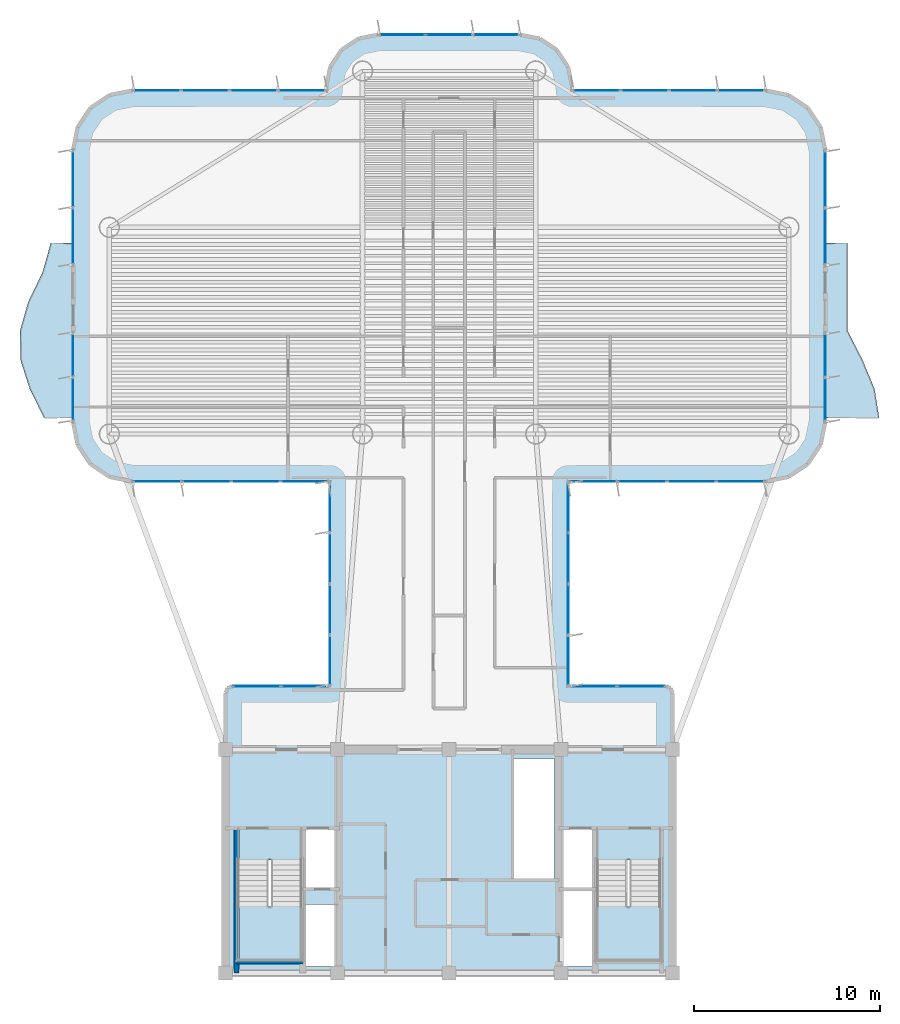
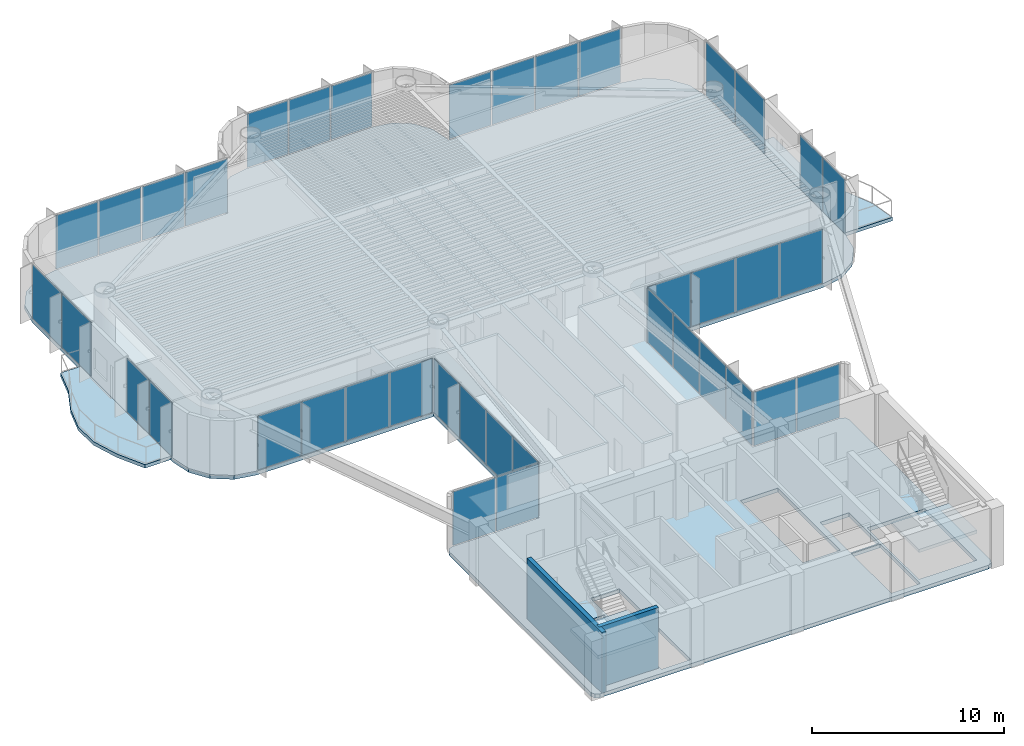
# One storey, part 8 of 14: 39 plates, 5 slabs, 2 walls, 15 elements without a shape of their own.
"""IFC4 building model written with IfcOpenShell, lengths in metres."""

from ifc_helpers import new_model, si_unit, direction, frame, frame_2d, origin, origin_2d, place, context, subcontext, project, spatial, polyline, rectangle, outline, extrude, source, transform, mapped, material, layer, layer_set, type_object, element, aggregate, save


model = new_model("IFC4")

# Units and contexts
model_context = context("Model", 3, precision=1e-05, world=origin(), true_north=direction((0.0, 1.0)))
body_context = subcontext(model_context, "Body", "Model", "MODEL_VIEW")
ifc_project = project(units=[si_unit("LENGTHUNIT", "METRE"), si_unit("AREAUNIT", "SQUARE_METRE"), si_unit("VOLUMEUNIT", "CUBIC_METRE"), si_unit("PLANEANGLEUNIT", "RADIAN"), si_unit("MASSUNIT", "GRAM", prefix="KILO")], contexts=[model_context])

# Site, building, storey
site_placement = place(None, origin())
site = spatial("IfcSite", under=ifc_project, at=site_placement, CompositionType="ELEMENT")
building_placement = place(site_placement, origin())
building = spatial("IfcBuilding", under=site, at=building_placement, Name="Brelvock Crest Care Tower", CompositionType="ELEMENT")
storey_placement = place(building_placement, frame((0.0, 0.0, 182.8798828125)))
storey = spatial("IfcBuildingStorey", under=building, at=storey_placement, Name="L46", CompositionType="ELEMENT", Elevation=182.8798828125)

# Slabs
ifc_material_1 = material(Name="Concrete N50 (50 MPa)", Category="concrete")
ifc_layer_1 = layer(ifc_material_1, 0.25, Name="SLB-FL3")
ifc_layer_set_1 = layer_set([ifc_layer_1], Name="Concrete N50 (50 MPa)")
slab_type_1 = type_object("IfcSlabType", Name="SLB-FL3", PredefinedType="FLOOR", material=ifc_layer_set_1)
slab_1_placement = place(storey_placement, frame((0.0, 0.0, -0.25)))
element("IfcSlab", 1, at=slab_1_placement, inside=storey, type_object=slab_type_1, Name="L46 Main Structural Slab", PredefinedType="FLOOR", context=body_context, shape_type="SweptSolid", body=[
    extrude(outline(polyline([(47.64990234375, 21.39990234375), (42.39990234375, 21.39990234375), (42.39990234375, 32.39990234375), (53.0, 32.39990234375), (54.224609375, 32.6435546875), (55.2626953125, 33.33740234375), (55.956298828125, 34.37548828125), (56.199951171875, 35.60009765625), (56.199951171875, 50.199951171875), (55.956298828125, 51.424560546875), (55.2626953125, 52.462646484375), (54.224609375, 53.156494140625), (53.0, 53.39990234375), (42.60009765625, 53.39990234375), (42.60009765625, 53.60009765625), (42.386962890625, 54.67138671875), (41.77978515625, 55.579833984375), (40.87158203125, 56.18701171875), (39.800048828125, 56.39990234375), (32.199951171875, 56.39990234375), (31.12841796875, 56.18701171875), (30.22021484375, 55.579833984375), (29.613037109375, 54.67138671875), (29.39990234375, 53.60009765625), (29.39990234375, 53.39990234375), (19.0, 53.39990234375), (17.775390625, 53.156494140625), (16.7373046875, 52.462646484375), (16.043701171875, 51.424560546875), (15.800048828125, 50.199951171875), (15.800048828125, 35.60009765625), (16.043701171875, 34.37548828125), (16.7373046875, 33.33740234375), (17.775390625, 32.6435546875), (19.0, 32.39990234375), (29.60009765625, 32.39990234375), (29.60009765625, 21.39990234375), (24.35009765625, 21.39990234375), (24.1025390625, 21.297607421875), (24.0, 21.050048828125), (24.0, 6.35009765625), (24.1025390625, 6.1025390625), (24.35009765625, 6.0), (47.64990234375, 6.0), (47.8974609375, 6.1025390625), (48.0, 6.35009765625), (48.0, 21.050048828125), (47.8974609375, 21.297607421875), (47.64990234375, 21.39990234375)]), holes=[polyline([(28.239990234375, 10.580078125), (29.97998046875, 10.580078125), (29.97998046875, 13.739990234375), (28.239990234375, 13.739990234375), (28.239990234375, 10.580078125)]), polyline([(42.02001953125, 10.580078125), (43.760009765625, 10.580078125), (43.760009765625, 13.739990234375), (42.02001953125, 13.739990234375), (42.02001953125, 10.580078125)]), polyline([(28.239990234375, 6.340087890625), (29.97998046875, 6.340087890625), (29.97998046875, 9.64990234375), (28.239990234375, 9.64990234375), (28.239990234375, 6.340087890625)]), polyline([(24.6298828125, 12.080078125), (24.6298828125, 6.699951171875), (28.110107421875, 6.699951171875), (28.110107421875, 12.080078125), (24.6298828125, 12.080078125)]), polyline([(43.889892578125, 12.080078125), (43.889892578125, 6.699951171875), (47.3701171875, 6.699951171875), (47.3701171875, 12.080078125), (43.889892578125, 12.080078125)]), polyline([(42.02001953125, 6.340087890625), (43.760009765625, 6.340087890625), (43.760009765625, 10.5), (42.02001953125, 10.5), (42.02001953125, 6.340087890625)]), polyline([(39.429931640625, 11.030029296875), (41.669921875, 11.030029296875), (41.669921875, 17.52001953125), (39.429931640625, 17.52001953125), (39.429931640625, 11.030029296875)])]), origin(), (0.0, 0.0, 1.0), 0.25),
])
ifc_layer_2 = layer(ifc_material_1, 0.219970703125, Name="SLB-WB1")
ifc_layer_set_2 = layer_set([ifc_layer_2], Name="Concrete N50 (50 MPa)")
slab_type_2 = type_object("IfcSlabType", Name="SLB-WB1", PredefinedType="FLOOR", material=ifc_layer_set_2)
slab_2_placement = place(storey_placement, frame((0.0, 0.0, -0.219970703125)))
element("IfcSlab", 2, at=slab_2_placement, inside=storey, type_object=slab_type_2, Name="L46 W Sinusoidal Wave Balcony Slab", PredefinedType="FLOOR", context=body_context, shape_type="SweptSolid", body=[
    extrude(outline(polyline([(15.800048828125, 45.199951171875), (14.60009765625, 45.199951171875), (14.16162109375, 43.63330078125), (13.400390625, 42.066650390625), (12.95068359375, 40.5), (12.977294921875, 38.933349609375), (13.470947265625, 37.36669921875), (14.25, 35.800048828125), (15.800048828125, 35.800048828125), (15.800048828125, 45.199951171875)])), origin(), (0.0, 0.0, 1.0), 0.219970703125),
])
slab_3_placement = place(storey_placement, frame((0.0, 0.0, -0.219970703125)))
element("IfcSlab", 3, at=slab_3_placement, inside=storey, type_object=slab_type_2, Name="L46 E Sinusoidal Wave Balcony Slab", PredefinedType="FLOOR", context=body_context, shape_type="SweptSolid", body=[
    extrude(outline(polyline([(56.199951171875, 35.800048828125), (59.10009765625, 35.800048828125), (58.8525390625, 37.36669921875), (58.20068359375, 38.933349609375), (57.39990234375, 40.5), (57.39990234375, 42.066650390625), (57.39990234375, 43.63330078125), (57.39990234375, 45.199951171875), (56.199951171875, 45.199951171875), (56.199951171875, 35.800048828125)])), origin(), (0.0, 0.0, 1.0), 0.219970703125),
])

# Stair, slab
ifc_material_2 = material(Name="Concrete N40 (40 MPa)", Category="concrete")
stair_type = type_object("IfcStairType", Name="ST-CORE1", PredefinedType="HALF_TURN_STAIR", material=ifc_material_2)
stair_1_placement = place(storey_placement, origin())
stair_1 = element("IfcStair", 4, at=stair_1_placement, inside=storey, type_object=stair_type, Name="L46 Fire-Isolated Core Stair ST-1", PredefinedType="HALF_TURN_STAIR")
ifc_layer_3 = layer(ifc_material_2, 0.199951171875, Name="STL-1")
ifc_layer_set_3 = layer_set([ifc_layer_3], Name="Concrete N40 (40 MPa)")
slab_type_3 = type_object("IfcSlabType", Name="STL-1", PredefinedType="LANDING", material=ifc_layer_set_3)
slab_4_placement = place(storey_placement, frame((0.0, 0.0, 1.690185546875)))
slab_4 = element("IfcSlab", 5, at=slab_4_placement, type_object=slab_type_3, Name="ST-1 landing 1", PredefinedType="LANDING", context=body_context, shape_type="SweptSolid", body=[
    extrude(outline(polyline([(24.6298828125, 9.56005859375), (24.6298828125, 6.699951171875), (28.110107421875, 6.699951171875), (28.110107421875, 9.56005859375), (24.6298828125, 9.56005859375)])), origin(), (0.0, 0.0, 1.0), 0.199951171875),
])
aggregate(stair_1, [slab_4])

stair_2_placement = place(storey_placement, origin())
stair_2 = element("IfcStair", 6, at=stair_2_placement, inside=storey, type_object=stair_type, Name="L46 Fire-Isolated Core Stair ST-2", PredefinedType="HALF_TURN_STAIR")
slab_5_placement = place(storey_placement, frame((0.0, 0.0, 1.690185546875)))
slab_5 = element("IfcSlab", 7, at=slab_5_placement, type_object=slab_type_3, Name="ST-2 landing 1", PredefinedType="LANDING", context=body_context, shape_type="SweptSolid", body=[
    extrude(outline(polyline([(43.889892578125, 9.56005859375), (43.889892578125, 6.699951171875), (47.3701171875, 6.699951171875), (47.3701171875, 9.56005859375), (43.889892578125, 9.56005859375)])), origin(), (0.0, 0.0, 1.0), 0.199951171875),
])
aggregate(stair_2, [slab_5])

# Curtain wall, plates
ifc_material_3 = material(Name="Dark Glass Double Glazed Low-E", Category="glass")
ifc_layer_4 = layer(ifc_material_3, 0.22509765625, Name="CWS-4")
ifc_layer_set_4 = layer_set([ifc_layer_4], Name="Dark Glass Double Glazed Low-E")
curtain_wall_type = type_object("IfcCurtainWallType", Name="CWS-4", PredefinedType="NOTDEFINED", material=ifc_layer_set_4)
curtain_wall_1_placement = place(storey_placement, origin())
curtain_wall_1 = element("IfcCurtainWall", 8, at=curtain_wall_1_placement, inside=storey, type_object=curtain_wall_type, Name="L46 Curtain Wall E10", PredefinedType="NOTDEFINED")
ifc_layer_5 = layer(ifc_material_3, 0.0380859375, Name="CWP-V2")
ifc_layer_set_5 = layer_set([ifc_layer_5], Name="Dark Glass Double Glazed Low-E")
plate_type = type_object("IfcPlateType", Name="CWP-V2", PredefinedType="CURTAIN_PANEL", material=ifc_layer_set_5)
shared_shape_1 = source(origin(), body_context, "Body", "SweptSolid", [
    extrude(rectangle(XDim=2.534912109375, YDim=0.035888671875, at=origin_2d()), origin(), (0.0, 0.0, 1.0), 3.409912109375),
])
plate_1_placement = place(storey_placement, frame((25.677490234375, 21.39990234375, 0.06005859375), z_axis=(0.0, 0.0, 1.0), x_axis=(1.0, 0.0, 0.0)))
plate_1 = element("IfcPlate", 9, at=plate_1_placement, type_object=plate_type, Name="CW-4 panel 1.1", PredefinedType="CURTAIN_PANEL", context=body_context, shape_type="MappedRepresentation", body=[
    mapped(shared_shape_1, transform((0.0, 0.0, 0.0), x_axis=(1.0, 0.0, 0.0), y_axis=(0.0, 1.0, 0.0), z_axis=(0.0, 0.0, 1.0), scale=1.0)),
])
plate_2_placement = place(storey_placement, frame((28.2724609375, 21.39990234375, 0.06005859375), z_axis=(0.0, 0.0, 1.0), x_axis=(1.0, 0.0, 0.0)))
plate_2 = element("IfcPlate", 10, at=plate_2_placement, type_object=plate_type, Name="CW-4 panel 2.1", PredefinedType="CURTAIN_PANEL", context=body_context, shape_type="MappedRepresentation", body=[
    mapped(shared_shape_1, transform((0.0, 0.0, 0.0), x_axis=(1.0, 0.0, 0.0), y_axis=(0.0, 1.0, 0.0), z_axis=(0.0, 0.0, 1.0), scale=1.0)),
])
aggregate(curtain_wall_1, [plate_1, plate_2])

curtain_wall_2_placement = place(storey_placement, origin())
curtain_wall_2 = element("IfcCurtainWall", 11, at=curtain_wall_2_placement, inside=storey, type_object=curtain_wall_type, Name="L46 Curtain Wall E46", PredefinedType="NOTDEFINED")
plate_3_placement = place(storey_placement, frame((43.7275390625, 21.39990234375, 0.06005859375), z_axis=(0.0, 0.0, 1.0), x_axis=(1.0, 0.0, 0.0)))
plate_3 = element("IfcPlate", 12, at=plate_3_placement, type_object=plate_type, Name="CW-4 panel 1.1", PredefinedType="CURTAIN_PANEL", context=body_context, shape_type="MappedRepresentation", body=[
    mapped(shared_shape_1, transform((0.0, 0.0, 0.0), x_axis=(1.0, 0.0, 0.0), y_axis=(0.0, 1.0, 0.0), z_axis=(0.0, 0.0, 1.0), scale=1.0)),
])
plate_4_placement = place(storey_placement, frame((46.322509765625, 21.39990234375, 0.06005859375), z_axis=(0.0, 0.0, 1.0), x_axis=(1.0, 0.0, 0.0)))
plate_4 = element("IfcPlate", 13, at=plate_4_placement, type_object=plate_type, Name="CW-4 panel 2.1", PredefinedType="CURTAIN_PANEL", context=body_context, shape_type="MappedRepresentation", body=[
    mapped(shared_shape_1, transform((0.0, 0.0, 0.0), x_axis=(1.0, 0.0, 0.0), y_axis=(0.0, 1.0, 0.0), z_axis=(0.0, 0.0, 1.0), scale=1.0)),
])
aggregate(curtain_wall_2, [plate_3, plate_4])

curtain_wall_3_placement = place(storey_placement, origin())
curtain_wall_3 = element("IfcCurtainWall", 14, at=curtain_wall_3_placement, inside=storey, type_object=curtain_wall_type, Name="L46 Curtain Wall E11", PredefinedType="NOTDEFINED")
shared_shape_2 = source(origin(), body_context, "Body", "SweptSolid", [
    extrude(rectangle(XDim=2.659912109375, YDim=0.035888671875, at=origin_2d()), origin(), (0.0, 0.0, 1.0), 3.409912109375),
])
plate_5_placement = place(storey_placement, frame((29.60009765625, 22.7900390625, 0.06005859375), z_axis=(0.0, 0.0, 1.0), x_axis=(0.0, 1.0, 0.0)))
plate_5 = element("IfcPlate", 15, at=plate_5_placement, type_object=plate_type, Name="CW-4 panel 1.1", PredefinedType="CURTAIN_PANEL", context=body_context, shape_type="MappedRepresentation", body=[
    mapped(shared_shape_2, transform((0.0, 0.0, 0.0), x_axis=(1.0, 0.0, 0.0), y_axis=(0.0, 1.0, 0.0), z_axis=(0.0, 0.0, 1.0), scale=1.0)),
])
plate_6_placement = place(storey_placement, frame((29.60009765625, 31.010009765625, 0.06005859375), z_axis=(0.0, 0.0, 1.0), x_axis=(0.0, 1.0, 0.0)))
plate_6 = element("IfcPlate", 16, at=plate_6_placement, type_object=plate_type, Name="CW-4 panel 4.1", PredefinedType="CURTAIN_PANEL", context=body_context, shape_type="MappedRepresentation", body=[
    mapped(shared_shape_2, transform((0.0, 0.0, 0.0), x_axis=(1.0, 0.0, 0.0), y_axis=(0.0, 1.0, 0.0), z_axis=(0.0, 0.0, 1.0), scale=1.0)),
])

curtain_wall_4_placement = place(storey_placement, origin())
curtain_wall_4 = element("IfcCurtainWall", 17, at=curtain_wall_4_placement, inside=storey, type_object=curtain_wall_type, Name="L46 Curtain Wall E45", PredefinedType="NOTDEFINED")
plate_7_placement = place(storey_placement, frame((42.39990234375, 31.010009765625, 0.06005859375), z_axis=(0.0, 0.0, 1.0), x_axis=(0.0, -1.0, 0.0)))
plate_7 = element("IfcPlate", 18, at=plate_7_placement, type_object=plate_type, Name="CW-4 panel 1.1", PredefinedType="CURTAIN_PANEL", context=body_context, shape_type="MappedRepresentation", body=[
    mapped(shared_shape_2, transform((0.0, 0.0, 0.0), x_axis=(1.0, 0.0, 0.0), y_axis=(0.0, 1.0, 0.0), z_axis=(0.0, 0.0, 1.0), scale=1.0)),
])
plate_8_placement = place(storey_placement, frame((42.39990234375, 22.7900390625, 0.06005859375), z_axis=(0.0, 0.0, 1.0), x_axis=(0.0, -1.0, 0.0)))
plate_8 = element("IfcPlate", 19, at=plate_8_placement, type_object=plate_type, Name="CW-4 panel 4.1", PredefinedType="CURTAIN_PANEL", context=body_context, shape_type="MappedRepresentation", body=[
    mapped(shared_shape_2, transform((0.0, 0.0, 0.0), x_axis=(1.0, 0.0, 0.0), y_axis=(0.0, 1.0, 0.0), z_axis=(0.0, 0.0, 1.0), scale=1.0)),
])

# Plate
shared_shape_3 = source(origin(), body_context, "Body", "SweptSolid", [
    extrude(rectangle(XDim=2.68994140625, YDim=0.035888671875, at=origin_2d()), origin(), (0.0, 0.0, 1.0), 3.409912109375),
])
plate_9_placement = place(storey_placement, frame((29.60009765625, 25.52490234375, 0.06005859375), z_axis=(0.0, 0.0, 1.0), x_axis=(0.0, 1.0, 0.0)))
plate_9 = element("IfcPlate", 20, at=plate_9_placement, type_object=plate_type, Name="CW-4 panel 2.1", PredefinedType="CURTAIN_PANEL", context=body_context, shape_type="MappedRepresentation", body=[
    mapped(shared_shape_3, transform((0.0, 0.0, 0.0), x_axis=(1.0, 0.0, 0.0), y_axis=(0.0, 1.0, 0.0), z_axis=(0.0, 0.0, 1.0), scale=1.0)),
])

plate_10_placement = place(storey_placement, frame((29.60009765625, 28.27490234375, 0.06005859375), z_axis=(0.0, 0.0, 1.0), x_axis=(0.0, 1.0, 0.0)))
plate_10 = element("IfcPlate", 21, at=plate_10_placement, type_object=plate_type, Name="CW-4 panel 3.1", PredefinedType="CURTAIN_PANEL", context=body_context, shape_type="MappedRepresentation", body=[
    mapped(shared_shape_3, transform((0.0, 0.0, 0.0), x_axis=(1.0, 0.0, 0.0), y_axis=(0.0, 1.0, 0.0), z_axis=(0.0, 0.0, 1.0), scale=1.0)),
])

aggregate(curtain_wall_3, [plate_5, plate_9, plate_10, plate_6])

plate_11_placement = place(storey_placement, frame((42.39990234375, 28.27490234375, 0.06005859375), z_axis=(0.0, 0.0, 1.0), x_axis=(0.0, -1.0, 0.0)))
plate_11 = element("IfcPlate", 22, at=plate_11_placement, type_object=plate_type, Name="CW-4 panel 2.1", PredefinedType="CURTAIN_PANEL", context=body_context, shape_type="MappedRepresentation", body=[
    mapped(shared_shape_3, transform((0.0, 0.0, 0.0), x_axis=(1.0, 0.0, 0.0), y_axis=(0.0, 1.0, 0.0), z_axis=(0.0, 0.0, 1.0), scale=1.0)),
])

plate_12_placement = place(storey_placement, frame((42.39990234375, 25.52490234375, 0.06005859375), z_axis=(0.0, 0.0, 1.0), x_axis=(0.0, -1.0, 0.0)))
plate_12 = element("IfcPlate", 23, at=plate_12_placement, type_object=plate_type, Name="CW-4 panel 3.1", PredefinedType="CURTAIN_PANEL", context=body_context, shape_type="MappedRepresentation", body=[
    mapped(shared_shape_3, transform((0.0, 0.0, 0.0), x_axis=(1.0, 0.0, 0.0), y_axis=(0.0, 1.0, 0.0), z_axis=(0.0, 0.0, 1.0), scale=1.0)),
])

aggregate(curtain_wall_4, [plate_7, plate_11, plate_12, plate_8])

# Curtain wall, plates
curtain_wall_5_placement = place(storey_placement, origin())
curtain_wall_5 = element("IfcCurtainWall", 24, at=curtain_wall_5_placement, inside=storey, type_object=curtain_wall_type, Name="L46 Curtain Wall E12", PredefinedType="NOTDEFINED")
shared_shape_4 = source(origin(), body_context, "Body", "SweptSolid", [
    extrude(rectangle(XDim=2.56005859375, YDim=0.035888671875, at=origin_2d()), origin(), (0.0, 0.0, 1.0), 3.409912109375),
])
plate_13_placement = place(storey_placement, frame((28.260009765625, 32.39990234375, 0.06005859375), z_axis=(0.0, 0.0, 1.0), x_axis=(-1.0, 0.0, 0.0)))
plate_13 = element("IfcPlate", 25, at=plate_13_placement, type_object=plate_type, Name="CW-4 panel 1.1", PredefinedType="CURTAIN_PANEL", context=body_context, shape_type="MappedRepresentation", body=[
    mapped(shared_shape_4, transform((0.0, 0.0, 0.0), x_axis=(1.0, 0.0, 0.0), y_axis=(0.0, 1.0, 0.0), z_axis=(0.0, 0.0, 1.0), scale=1.0)),
])
plate_14_placement = place(storey_placement, frame((20.340087890625, 32.39990234375, 0.06005859375), z_axis=(0.0, 0.0, 1.0), x_axis=(-1.0, 0.0, 0.0)))
plate_14 = element("IfcPlate", 26, at=plate_14_placement, type_object=plate_type, Name="CW-4 panel 4.1", PredefinedType="CURTAIN_PANEL", context=body_context, shape_type="MappedRepresentation", body=[
    mapped(shared_shape_4, transform((0.0, 0.0, 0.0), x_axis=(1.0, 0.0, 0.0), y_axis=(0.0, 1.0, 0.0), z_axis=(0.0, 0.0, 1.0), scale=1.0)),
])

curtain_wall_6_placement = place(storey_placement, origin())
curtain_wall_6 = element("IfcCurtainWall", 27, at=curtain_wall_6_placement, inside=storey, type_object=curtain_wall_type, Name="L46 Curtain Wall E44", PredefinedType="NOTDEFINED")
plate_15_placement = place(storey_placement, frame((51.659912109375, 32.39990234375, 0.06005859375), z_axis=(0.0, 0.0, 1.0), x_axis=(-1.0, 0.0, 0.0)))
plate_15 = element("IfcPlate", 28, at=plate_15_placement, type_object=plate_type, Name="CW-4 panel 1.1", PredefinedType="CURTAIN_PANEL", context=body_context, shape_type="MappedRepresentation", body=[
    mapped(shared_shape_4, transform((0.0, 0.0, 0.0), x_axis=(1.0, 0.0, 0.0), y_axis=(0.0, 1.0, 0.0), z_axis=(0.0, 0.0, 1.0), scale=1.0)),
])
plate_16_placement = place(storey_placement, frame((43.739990234375, 32.39990234375, 0.06005859375), z_axis=(0.0, 0.0, 1.0), x_axis=(-1.0, 0.0, 0.0)))
plate_16 = element("IfcPlate", 29, at=plate_16_placement, type_object=plate_type, Name="CW-4 panel 4.1", PredefinedType="CURTAIN_PANEL", context=body_context, shape_type="MappedRepresentation", body=[
    mapped(shared_shape_4, transform((0.0, 0.0, 0.0), x_axis=(1.0, 0.0, 0.0), y_axis=(0.0, 1.0, 0.0), z_axis=(0.0, 0.0, 1.0), scale=1.0)),
])

# Plate
shared_shape_5 = source(origin(), body_context, "Body", "SweptSolid", [
    extrude(rectangle(XDim=2.590087890625, YDim=0.035888671875, at=origin_2d()), origin(), (0.0, 0.0, 1.0), 3.409912109375),
])
plate_17_placement = place(storey_placement, frame((25.625, 32.39990234375, 0.06005859375), z_axis=(0.0, 0.0, 1.0), x_axis=(-1.0, 0.0, 0.0)))
plate_17 = element("IfcPlate", 30, at=plate_17_placement, type_object=plate_type, Name="CW-4 panel 2.1", PredefinedType="CURTAIN_PANEL", context=body_context, shape_type="MappedRepresentation", body=[
    mapped(shared_shape_5, transform((0.0, 0.0, 0.0), x_axis=(1.0, 0.0, 0.0), y_axis=(0.0, 1.0, 0.0), z_axis=(0.0, 0.0, 1.0), scale=1.0)),
])

plate_18_placement = place(storey_placement, frame((22.97509765625, 32.39990234375, 0.06005859375), z_axis=(0.0, 0.0, 1.0), x_axis=(-1.0, 0.0, 0.0)))
plate_18 = element("IfcPlate", 31, at=plate_18_placement, type_object=plate_type, Name="CW-4 panel 3.1", PredefinedType="CURTAIN_PANEL", context=body_context, shape_type="MappedRepresentation", body=[
    mapped(shared_shape_5, transform((0.0, 0.0, 0.0), x_axis=(1.0, 0.0, 0.0), y_axis=(0.0, 1.0, 0.0), z_axis=(0.0, 0.0, 1.0), scale=1.0)),
])

aggregate(curtain_wall_5, [plate_13, plate_17, plate_18, plate_14])

plate_19_placement = place(storey_placement, frame((49.02490234375, 32.39990234375, 0.06005859375), z_axis=(0.0, 0.0, 1.0), x_axis=(-1.0, 0.0, 0.0)))
plate_19 = element("IfcPlate", 32, at=plate_19_placement, type_object=plate_type, Name="CW-4 panel 2.1", PredefinedType="CURTAIN_PANEL", context=body_context, shape_type="MappedRepresentation", body=[
    mapped(shared_shape_5, transform((0.0, 0.0, 0.0), x_axis=(1.0, 0.0, 0.0), y_axis=(0.0, 1.0, 0.0), z_axis=(0.0, 0.0, 1.0), scale=1.0)),
])

plate_20_placement = place(storey_placement, frame((46.375, 32.39990234375, 0.06005859375), z_axis=(0.0, 0.0, 1.0), x_axis=(-1.0, 0.0, 0.0)))
plate_20 = element("IfcPlate", 33, at=plate_20_placement, type_object=plate_type, Name="CW-4 panel 3.1", PredefinedType="CURTAIN_PANEL", context=body_context, shape_type="MappedRepresentation", body=[
    mapped(shared_shape_5, transform((0.0, 0.0, 0.0), x_axis=(1.0, 0.0, 0.0), y_axis=(0.0, 1.0, 0.0), z_axis=(0.0, 0.0, 1.0), scale=1.0)),
])

aggregate(curtain_wall_6, [plate_15, plate_19, plate_20, plate_16])

# Curtain wall, plates
curtain_wall_7_placement = place(storey_placement, origin())
curtain_wall_7 = element("IfcCurtainWall", 34, at=curtain_wall_7_placement, inside=storey, type_object=curtain_wall_type, Name="L46 Curtain Wall E22", PredefinedType="NOTDEFINED")
shared_shape_6 = source(origin(), body_context, "Body", "SweptSolid", [
    extrude(rectangle(XDim=2.510009765625, YDim=0.035888671875, at=origin_2d()), origin(), (0.0, 0.0, 1.0), 3.409912109375),
])
plate_21_placement = place(storey_placement, frame((20.31494140625, 53.39990234375, 0.06005859375), z_axis=(0.0, 0.0, 1.0), x_axis=(1.0, 0.0, 0.0)))
plate_21 = element("IfcPlate", 35, at=plate_21_placement, type_object=plate_type, Name="CW-4 panel 1.1", PredefinedType="CURTAIN_PANEL", context=body_context, shape_type="MappedRepresentation", body=[
    mapped(shared_shape_6, transform((0.0, 0.0, 0.0), x_axis=(1.0, 0.0, 0.0), y_axis=(0.0, 1.0, 0.0), z_axis=(0.0, 0.0, 1.0), scale=1.0)),
])
plate_22_placement = place(storey_placement, frame((28.0849609375, 53.39990234375, 0.06005859375), z_axis=(0.0, 0.0, 1.0), x_axis=(1.0, 0.0, 0.0)))
plate_22 = element("IfcPlate", 36, at=plate_22_placement, type_object=plate_type, Name="CW-4 panel 4.1", PredefinedType="CURTAIN_PANEL", context=body_context, shape_type="MappedRepresentation", body=[
    mapped(shared_shape_6, transform((0.0, 0.0, 0.0), x_axis=(1.0, 0.0, 0.0), y_axis=(0.0, 1.0, 0.0), z_axis=(0.0, 0.0, 1.0), scale=1.0)),
])

curtain_wall_8_placement = place(storey_placement, origin())
curtain_wall_8 = element("IfcCurtainWall", 37, at=curtain_wall_8_placement, inside=storey, type_object=curtain_wall_type, Name="L46 Curtain Wall E34", PredefinedType="NOTDEFINED")
plate_23_placement = place(storey_placement, frame((43.9150390625, 53.39990234375, 0.06005859375), z_axis=(0.0, 0.0, 1.0), x_axis=(1.0, 0.0, 0.0)))
plate_23 = element("IfcPlate", 38, at=plate_23_placement, type_object=plate_type, Name="CW-4 panel 1.1", PredefinedType="CURTAIN_PANEL", context=body_context, shape_type="MappedRepresentation", body=[
    mapped(shared_shape_6, transform((0.0, 0.0, 0.0), x_axis=(1.0, 0.0, 0.0), y_axis=(0.0, 1.0, 0.0), z_axis=(0.0, 0.0, 1.0), scale=1.0)),
])
plate_24_placement = place(storey_placement, frame((51.68505859375, 53.39990234375, 0.06005859375), z_axis=(0.0, 0.0, 1.0), x_axis=(1.0, 0.0, 0.0)))
plate_24 = element("IfcPlate", 39, at=plate_24_placement, type_object=plate_type, Name="CW-4 panel 4.1", PredefinedType="CURTAIN_PANEL", context=body_context, shape_type="MappedRepresentation", body=[
    mapped(shared_shape_6, transform((0.0, 0.0, 0.0), x_axis=(1.0, 0.0, 0.0), y_axis=(0.0, 1.0, 0.0), z_axis=(0.0, 0.0, 1.0), scale=1.0)),
])

# Plate
shared_shape_7 = source(origin(), body_context, "Body", "SweptSolid", [
    extrude(rectangle(XDim=2.5400390625, YDim=0.035888671875, at=origin_2d()), origin(), (0.0, 0.0, 1.0), 3.409912109375),
])
plate_25_placement = place(storey_placement, frame((22.89990234375, 53.39990234375, 0.06005859375), z_axis=(0.0, 0.0, 1.0), x_axis=(1.0, 0.0, 0.0)))
plate_25 = element("IfcPlate", 40, at=plate_25_placement, type_object=plate_type, Name="CW-4 panel 2.1", PredefinedType="CURTAIN_PANEL", context=body_context, shape_type="MappedRepresentation", body=[
    mapped(shared_shape_7, transform((0.0, 0.0, 0.0), x_axis=(1.0, 0.0, 0.0), y_axis=(0.0, 1.0, 0.0), z_axis=(0.0, 0.0, 1.0), scale=1.0)),
])

plate_26_placement = place(storey_placement, frame((25.5, 53.39990234375, 0.06005859375), z_axis=(0.0, 0.0, 1.0), x_axis=(1.0, 0.0, 0.0)))
plate_26 = element("IfcPlate", 41, at=plate_26_placement, type_object=plate_type, Name="CW-4 panel 3.1", PredefinedType="CURTAIN_PANEL", context=body_context, shape_type="MappedRepresentation", body=[
    mapped(shared_shape_7, transform((0.0, 0.0, 0.0), x_axis=(1.0, 0.0, 0.0), y_axis=(0.0, 1.0, 0.0), z_axis=(0.0, 0.0, 1.0), scale=1.0)),
])

aggregate(curtain_wall_7, [plate_21, plate_25, plate_26, plate_22])

plate_27_placement = place(storey_placement, frame((46.5, 53.39990234375, 0.06005859375), z_axis=(0.0, 0.0, 1.0), x_axis=(1.0, 0.0, 0.0)))
plate_27 = element("IfcPlate", 42, at=plate_27_placement, type_object=plate_type, Name="CW-4 panel 2.1", PredefinedType="CURTAIN_PANEL", context=body_context, shape_type="MappedRepresentation", body=[
    mapped(shared_shape_7, transform((0.0, 0.0, 0.0), x_axis=(1.0, 0.0, 0.0), y_axis=(0.0, 1.0, 0.0), z_axis=(0.0, 0.0, 1.0), scale=1.0)),
])

plate_28_placement = place(storey_placement, frame((49.10009765625, 53.39990234375, 0.06005859375), z_axis=(0.0, 0.0, 1.0), x_axis=(1.0, 0.0, 0.0)))
plate_28 = element("IfcPlate", 43, at=plate_28_placement, type_object=plate_type, Name="CW-4 panel 3.1", PredefinedType="CURTAIN_PANEL", context=body_context, shape_type="MappedRepresentation", body=[
    mapped(shared_shape_7, transform((0.0, 0.0, 0.0), x_axis=(1.0, 0.0, 0.0), y_axis=(0.0, 1.0, 0.0), z_axis=(0.0, 0.0, 1.0), scale=1.0)),
])

aggregate(curtain_wall_8, [plate_23, plate_27, plate_28, plate_24])

# Curtain wall, plates
curtain_wall_9_placement = place(storey_placement, origin())
curtain_wall_9 = element("IfcCurtainWall", 44, at=curtain_wall_9_placement, inside=storey, type_object=curtain_wall_type, Name="L46 Curtain Wall E28", PredefinedType="NOTDEFINED")
shared_shape_8 = source(origin(), body_context, "Body", "SweptSolid", [
    extrude(rectangle(XDim=2.443359375, YDim=0.035888671875, at=origin_2d()), origin(), (0.0, 0.0, 1.0), 3.409912109375),
])
plate_29_placement = place(storey_placement, frame((33.481689453125, 56.39990234375, 0.06005859375), z_axis=(0.0, 0.0, 1.0), x_axis=(1.0, 0.0, 0.0)))
plate_29 = element("IfcPlate", 45, at=plate_29_placement, type_object=plate_type, Name="CW-4 panel 1.1", PredefinedType="CURTAIN_PANEL", context=body_context, shape_type="MappedRepresentation", body=[
    mapped(shared_shape_8, transform((0.0, 0.0, 0.0), x_axis=(1.0, 0.0, 0.0), y_axis=(0.0, 1.0, 0.0), z_axis=(0.0, 0.0, 1.0), scale=1.0)),
])
plate_30_placement = place(storey_placement, frame((38.518310546875, 56.39990234375, 0.06005859375), z_axis=(0.0, 0.0, 1.0), x_axis=(1.0, 0.0, 0.0)))
plate_30 = element("IfcPlate", 46, at=plate_30_placement, type_object=plate_type, Name="CW-4 panel 3.1", PredefinedType="CURTAIN_PANEL", context=body_context, shape_type="MappedRepresentation", body=[
    mapped(shared_shape_8, transform((0.0, 0.0, 0.0), x_axis=(1.0, 0.0, 0.0), y_axis=(0.0, 1.0, 0.0), z_axis=(0.0, 0.0, 1.0), scale=1.0)),
])
shared_shape_9 = source(origin(), body_context, "Body", "SweptSolid", [
    extrude(rectangle(XDim=2.473388671875, YDim=0.035888671875, at=origin_2d()), origin(), (0.0, 0.0, 1.0), 3.409912109375),
])
plate_31_placement = place(storey_placement, frame((36.0, 56.39990234375, 0.06005859375), z_axis=(0.0, 0.0, 1.0), x_axis=(1.0, 0.0, 0.0)))
plate_31 = element("IfcPlate", 47, at=plate_31_placement, type_object=plate_type, Name="CW-4 panel 2.1", PredefinedType="CURTAIN_PANEL", context=body_context, shape_type="MappedRepresentation", body=[
    mapped(shared_shape_9, transform((0.0, 0.0, 0.0), x_axis=(1.0, 0.0, 0.0), y_axis=(0.0, 1.0, 0.0), z_axis=(0.0, 0.0, 1.0), scale=1.0)),
])
aggregate(curtain_wall_9, [plate_29, plate_31, plate_30])

curtain_wall_10_placement = place(storey_placement, origin())
curtain_wall_10 = element("IfcCurtainWall", 48, at=curtain_wall_10_placement, inside=storey, type_object=curtain_wall_type, Name="L46 Curtain Wall E17A", PredefinedType="NOTDEFINED")
shared_shape_10 = source(origin(), body_context, "Body", "SweptSolid", [
    extrude(rectangle(XDim=2.31005859375, YDim=0.035888671875, at=origin_2d()), origin(), (0.0, 0.0, 1.0), 3.409912109375),
])
plate_32_placement = place(storey_placement, frame((15.800048828125, 36.81494140625, 0.06005859375), z_axis=(0.0, 0.0, 1.0), x_axis=(0.0, 1.0, 0.0)))
plate_32 = element("IfcPlate", 49, at=plate_32_placement, type_object=plate_type, Name="CW-4 panel 1.1", PredefinedType="CURTAIN_PANEL", context=body_context, shape_type="MappedRepresentation", body=[
    mapped(shared_shape_10, transform((0.0, 0.0, 0.0), x_axis=(1.0, 0.0, 0.0), y_axis=(0.0, 1.0, 0.0), z_axis=(0.0, 0.0, 1.0), scale=1.0)),
])
plate_33_placement = place(storey_placement, frame((15.800048828125, 39.18505859375, 0.06005859375), z_axis=(0.0, 0.0, 1.0), x_axis=(0.0, 1.0, 0.0)))
plate_33 = element("IfcPlate", 50, at=plate_33_placement, type_object=plate_type, Name="CW-4 panel 2.1", PredefinedType="CURTAIN_PANEL", context=body_context, shape_type="MappedRepresentation", body=[
    mapped(shared_shape_10, transform((0.0, 0.0, 0.0), x_axis=(1.0, 0.0, 0.0), y_axis=(0.0, 1.0, 0.0), z_axis=(0.0, 0.0, 1.0), scale=1.0)),
])
aggregate(curtain_wall_10, [plate_32, plate_33])

curtain_wall_11_placement = place(storey_placement, origin())
curtain_wall_11 = element("IfcCurtainWall", 51, at=curtain_wall_11_placement, inside=storey, type_object=curtain_wall_type, Name="L46 Curtain Wall E39B", PredefinedType="NOTDEFINED")
plate_34_placement = place(storey_placement, frame((56.199951171875, 39.18505859375, 0.06005859375), z_axis=(0.0, 0.0, 1.0), x_axis=(0.0, -1.0, 0.0)))
plate_34 = element("IfcPlate", 52, at=plate_34_placement, type_object=plate_type, Name="CW-4 panel 1.1", PredefinedType="CURTAIN_PANEL", context=body_context, shape_type="MappedRepresentation", body=[
    mapped(shared_shape_10, transform((0.0, 0.0, 0.0), x_axis=(1.0, 0.0, 0.0), y_axis=(0.0, 1.0, 0.0), z_axis=(0.0, 0.0, 1.0), scale=1.0)),
])
plate_35_placement = place(storey_placement, frame((56.199951171875, 36.81494140625, 0.06005859375), z_axis=(0.0, 0.0, 1.0), x_axis=(0.0, -1.0, 0.0)))
plate_35 = element("IfcPlate", 53, at=plate_35_placement, type_object=plate_type, Name="CW-4 panel 2.1", PredefinedType="CURTAIN_PANEL", context=body_context, shape_type="MappedRepresentation", body=[
    mapped(shared_shape_10, transform((0.0, 0.0, 0.0), x_axis=(1.0, 0.0, 0.0), y_axis=(0.0, 1.0, 0.0), z_axis=(0.0, 0.0, 1.0), scale=1.0)),
])
aggregate(curtain_wall_11, [plate_34, plate_35])

curtain_wall_12_placement = place(storey_placement, origin())
curtain_wall_12 = element("IfcCurtainWall", 54, at=curtain_wall_12_placement, inside=storey, type_object=curtain_wall_type, Name="L46 Curtain Wall E17B", PredefinedType="NOTDEFINED")
shared_shape_11 = source(origin(), body_context, "Body", "SweptSolid", [
    extrude(rectangle(XDim=3.010009765625, YDim=0.035888671875, at=origin_2d()), origin(), (0.0, 0.0, 1.0), 3.409912109375),
])
plate_36_placement = place(storey_placement, frame((15.800048828125, 45.56494140625, 0.06005859375), z_axis=(0.0, 0.0, 1.0), x_axis=(0.0, 1.0, 0.0)))
plate_36 = element("IfcPlate", 55, at=plate_36_placement, type_object=plate_type, Name="CW-4 panel 1.1", PredefinedType="CURTAIN_PANEL", context=body_context, shape_type="MappedRepresentation", body=[
    mapped(shared_shape_11, transform((0.0, 0.0, 0.0), x_axis=(1.0, 0.0, 0.0), y_axis=(0.0, 1.0, 0.0), z_axis=(0.0, 0.0, 1.0), scale=1.0)),
])
plate_37_placement = place(storey_placement, frame((15.800048828125, 48.635009765625, 0.06005859375), z_axis=(0.0, 0.0, 1.0), x_axis=(0.0, 1.0, 0.0)))
plate_37 = element("IfcPlate", 56, at=plate_37_placement, type_object=plate_type, Name="CW-4 panel 2.1", PredefinedType="CURTAIN_PANEL", context=body_context, shape_type="MappedRepresentation", body=[
    mapped(shared_shape_11, transform((0.0, 0.0, 0.0), x_axis=(1.0, 0.0, 0.0), y_axis=(0.0, 1.0, 0.0), z_axis=(0.0, 0.0, 1.0), scale=1.0)),
])
aggregate(curtain_wall_12, [plate_36, plate_37])

curtain_wall_13_placement = place(storey_placement, origin())
curtain_wall_13 = element("IfcCurtainWall", 57, at=curtain_wall_13_placement, inside=storey, type_object=curtain_wall_type, Name="L46 Curtain Wall E39A", PredefinedType="NOTDEFINED")
plate_38_placement = place(storey_placement, frame((56.199951171875, 48.635009765625, 0.06005859375), z_axis=(0.0, 0.0, 1.0), x_axis=(0.0, -1.0, 0.0)))
plate_38 = element("IfcPlate", 58, at=plate_38_placement, type_object=plate_type, Name="CW-4 panel 1.1", PredefinedType="CURTAIN_PANEL", context=body_context, shape_type="MappedRepresentation", body=[
    mapped(shared_shape_11, transform((0.0, 0.0, 0.0), x_axis=(1.0, 0.0, 0.0), y_axis=(0.0, 1.0, 0.0), z_axis=(0.0, 0.0, 1.0), scale=1.0)),
])
plate_39_placement = place(storey_placement, frame((56.199951171875, 45.56494140625, 0.06005859375), z_axis=(0.0, 0.0, 1.0), x_axis=(0.0, -1.0, 0.0)))
plate_39 = element("IfcPlate", 59, at=plate_39_placement, type_object=plate_type, Name="CW-4 panel 2.1", PredefinedType="CURTAIN_PANEL", context=body_context, shape_type="MappedRepresentation", body=[
    mapped(shared_shape_11, transform((0.0, 0.0, 0.0), x_axis=(1.0, 0.0, 0.0), y_axis=(0.0, 1.0, 0.0), z_axis=(0.0, 0.0, 1.0), scale=1.0)),
])
aggregate(curtain_wall_13, [plate_38, plate_39])

# Walls
ifc_material_4 = material(Name="Concrete S80 (80 MPa)", Category="concrete")
ifc_layer_6 = layer(ifc_material_4, 0.25, Name="WL-CS6")
ifc_layer_set_6 = layer_set([ifc_layer_6], Name="Concrete S80 (80 MPa)")
wall_type = type_object("IfcWallType", Name="WL-CS6", PredefinedType="SHEAR", material=ifc_layer_set_6)
wall_1_placement = place(storey_placement, frame((24.580078125, 6.0, 0.0), z_axis=(0.0, 0.0, 1.0), x_axis=(0.0, 1.0, 0.0)))
element("IfcWall", 60, at=wall_1_placement, inside=storey, type_object=wall_type, Name="L46 Core Stair ST-1 West Shear Wall", PredefinedType="SHEAR", context=body_context, shape_type="SweptSolid", body=[
    extrude(rectangle(XDim=7.780029296875, YDim=0.25, at=frame_2d((3.89013671875, 0.0))), origin(), (0.0, 0.0, 1.0), 3.85009765625),
])
wall_2_placement = place(storey_placement, frame((24.580078125, 6.6201171875, 0.0), z_axis=(0.0, 0.0, 1.0), x_axis=(1.0, 0.0, 0.0)))
element("IfcWall", 61, at=wall_2_placement, inside=storey, type_object=wall_type, Name="L46 Core Stair ST-1 South Shear Wall", PredefinedType="SHEAR", context=body_context, shape_type="SweptSolid", body=[
    extrude(rectangle(XDim=3.56982421875, YDim=0.25, at=frame_2d((1.784912109375, 0.0))), origin(), (0.0, 0.0, 1.0), 3.85009765625),
])

save(model, "model.ifc")
